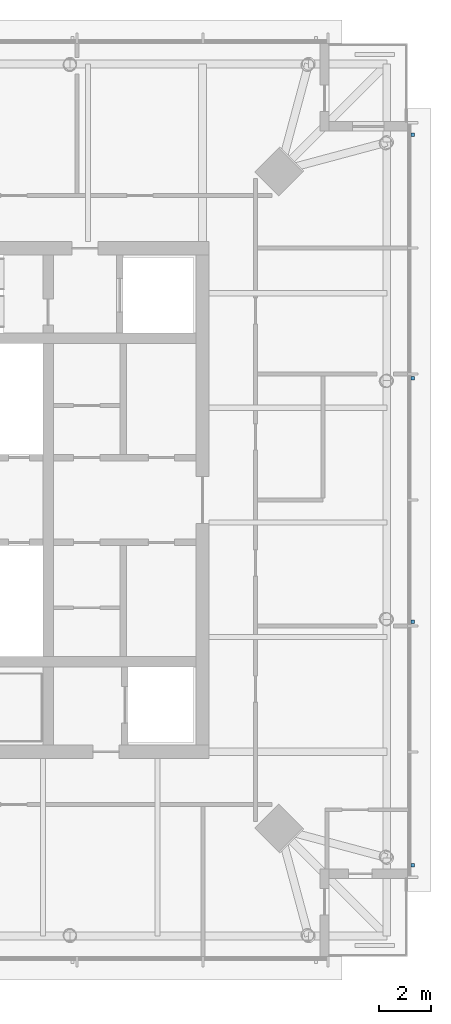
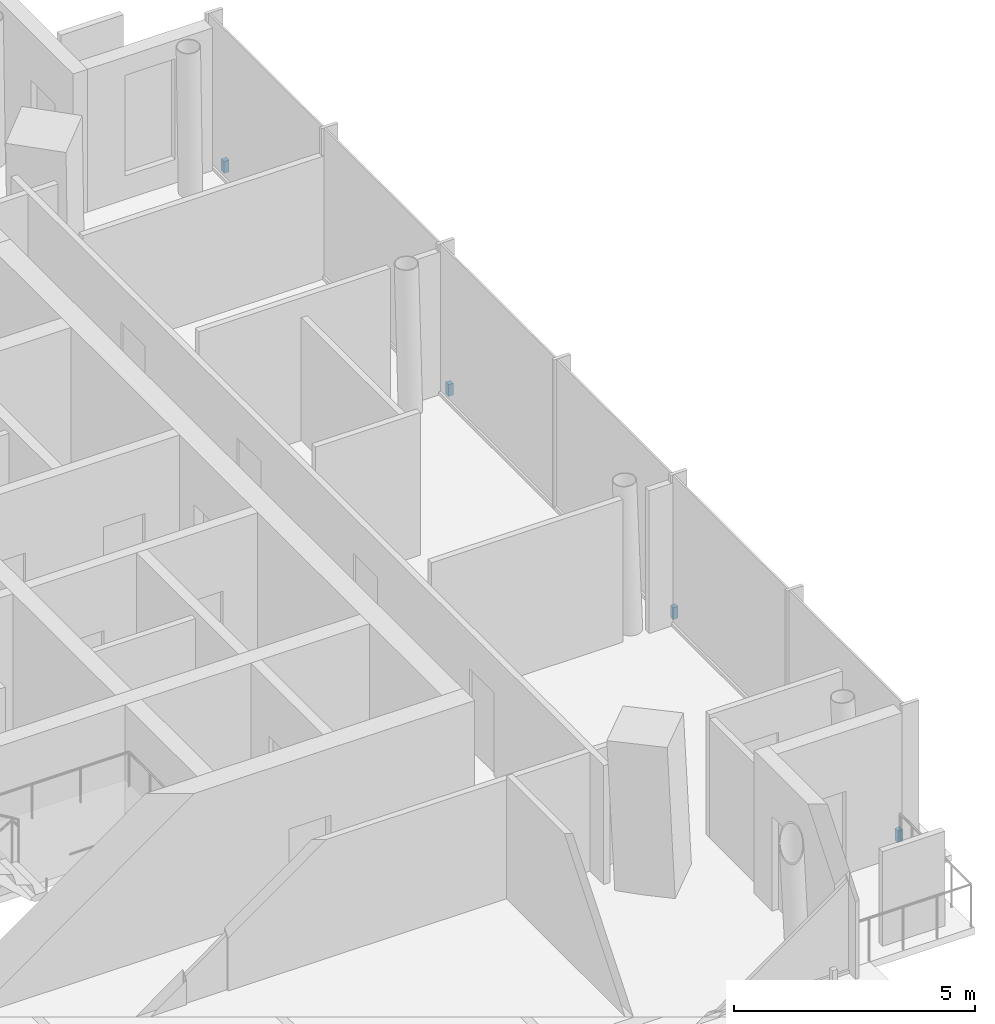
# One storey, part 9 of 11: 4 discrete accessories.
"""IFC4 building model written with IfcOpenShell, lengths in metres."""

from ifc_helpers import new_model, si_unit, direction, frame, origin, origin_2d, place, context, subcontext, project, spatial, rectangle, extrude, material, type_object, element, save


model = new_model("IFC4")

# Units and contexts
model_context = context("Model", 3, precision=1e-05, world=origin(), true_north=direction((0.0, 1.0)))
body_context = subcontext(model_context, "Body", "Model", "MODEL_VIEW")
ifc_project = project(units=[si_unit("LENGTHUNIT", "METRE"), si_unit("AREAUNIT", "SQUARE_METRE"), si_unit("VOLUMEUNIT", "CUBIC_METRE"), si_unit("PLANEANGLEUNIT", "RADIAN"), si_unit("MASSUNIT", "GRAM", prefix="KILO")], contexts=[model_context])

# Site, building, storey
site_placement = place(None, origin())
site = spatial("IfcSite", under=ifc_project, at=site_placement, CompositionType="ELEMENT")
building_placement = place(site_placement, origin())
building = spatial("IfcBuilding", under=site, at=building_placement, Name="Ostroluk Exchange", CompositionType="ELEMENT")
storey_placement = place(building_placement, frame((0.0, 0.0, 249.0)))
storey = spatial("IfcBuildingStorey", under=building, at=storey_placement, Name="L64", CompositionType="ELEMENT", Elevation=249.0)

# Discrete accessories
ifc_material = material(Name="Stainless steel", Category="steel")
discrete_accessory_type = type_object("IfcDiscreteAccessoryType", Name="Fall-arrest anchor PN-EN 795 type C", PredefinedType="USERDEFINED", material=ifc_material)
for number, where, z_axis, x_axis, name in (
    (1, (62.7099609375, 32.0, 0.0), (0.0, 0.0, 1.0), (1.0, 0.0, 0.0), "Fall-arrest anchor L64 east 1"),
    (2, (62.7099609375, 41.333251953125, 0.0), (0.0, 0.0, 1.0), (1.0, 0.0, 0.0), "Fall-arrest anchor L64 east 2"),
    (3, (62.7099609375, 50.666748046875, 0.0), (0.0, 0.0, 1.0), (1.0, 0.0, 0.0), "Fall-arrest anchor L64 east 3"),
    (4, (62.7099609375, 60.0, 0.0), (0.0, 0.0, 1.0), (1.0, 0.0, 0.0), "Fall-arrest anchor L64 east 4"),
):
    element("IfcDiscreteAccessory", number, at=place(storey_placement, frame(where, z_axis=z_axis, x_axis=x_axis)), inside=storey, type_object=discrete_accessory_type, Name=name, ObjectType="FALL ARREST ANCHOR", PredefinedType="USERDEFINED", context=body_context, shape_type="SweptSolid", body=[
        extrude(rectangle(XDim=0.1201171875, YDim=0.1201171875, at=origin_2d()), origin(), (0.0, 0.0, 1.0), 0.300048828125),
    ])

save(model, "model.ifc")
